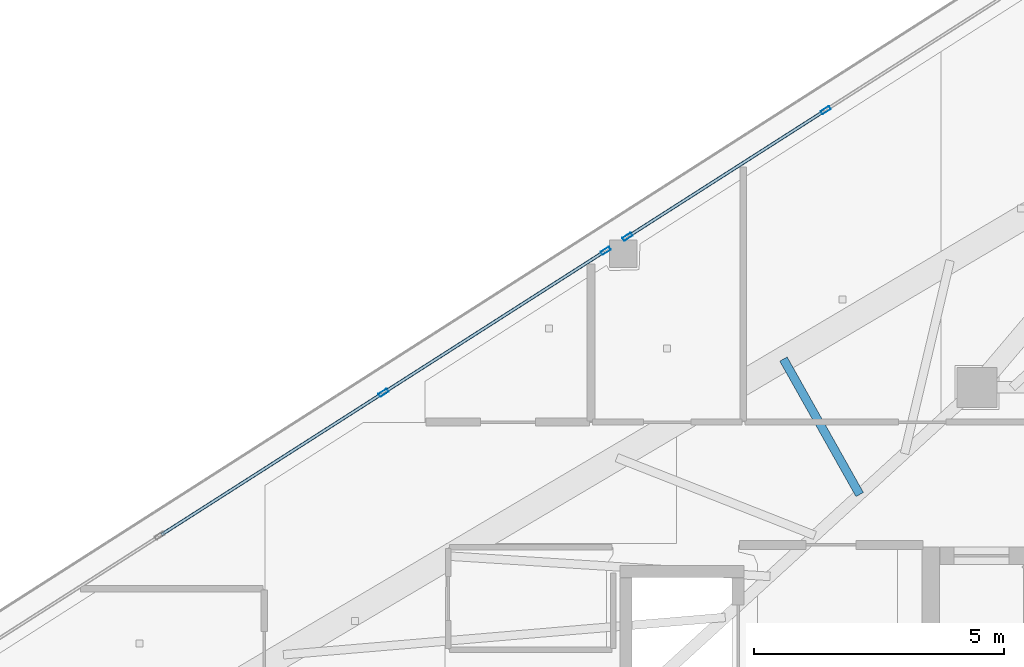
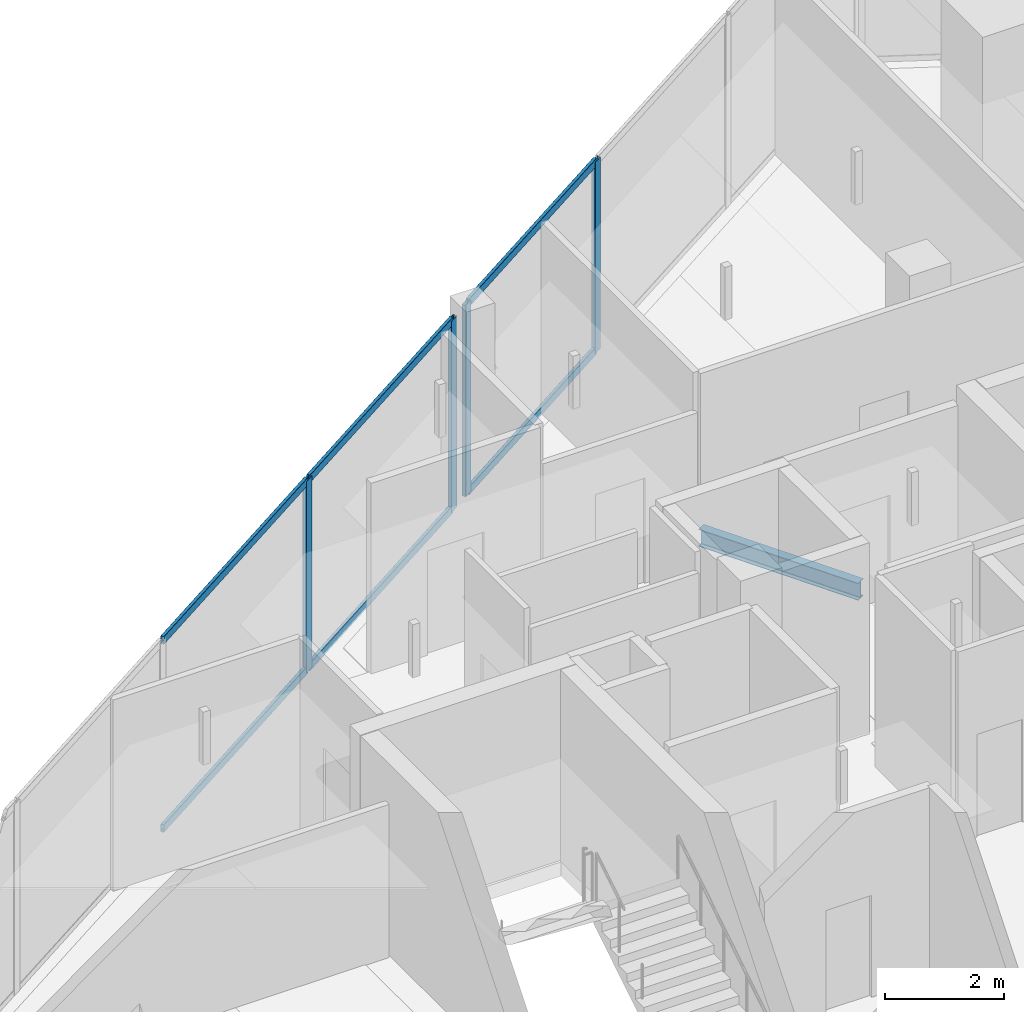
# One storey, part 11 of 25: 10 members, 1 beam, 2 elements without a shape of their own.
"""IFC4 building model written with IfcOpenShell, lengths in metres."""

from ifc_helpers import new_model, si_unit, direction, frame, origin, origin_2d, place, context, subcontext, project, spatial, hollow_rectangle, i_section, extrude, material, layer, layer_set, material_profile, profile_set, type_object, element, aggregate, save


model = new_model("IFC4")

# Units and contexts
model_context = context("Model", 3, precision=1e-05, world=origin(), true_north=direction((0.0, 1.0)))
body_context = subcontext(model_context, "Body", "Model", "MODEL_VIEW")
ifc_project = project(units=[si_unit("LENGTHUNIT", "METRE"), si_unit("AREAUNIT", "SQUARE_METRE"), si_unit("VOLUMEUNIT", "CUBIC_METRE"), si_unit("PLANEANGLEUNIT", "RADIAN"), si_unit("MASSUNIT", "GRAM", prefix="KILO")], contexts=[model_context])

# Site, building, storey
site_placement = place(None, origin())
site = spatial("IfcSite", under=ifc_project, at=site_placement, CompositionType="ELEMENT")
building_placement = place(site_placement, origin())
building = spatial("IfcBuilding", under=site, at=building_placement, Name="Qorvath Tower", CompositionType="ELEMENT")
storey_placement = place(building_placement, frame((0.0, 0.0, 306.0)))
storey = spatial("IfcBuildingStorey", under=building, at=storey_placement, Name="L71", CompositionType="ELEMENT", Elevation=306.0)

# Beam
ifc_material_1 = material(Name="Steel ASTM A992 Grade 50", Category="steel")
ifc_material_profile_1 = material_profile(ifc_material_1, i_section(OverallWidth=0.1708984375, OverallDepth=0.35107421875, WebThickness=0.0068359375, FlangeThickness=0.009765625, FilletRadius=0.010009765625, at=origin_2d()), Name="W14x30")
ifc_profile_set_1 = profile_set([ifc_material_profile_1], Name="Steel ASTM A992 Grade 50")
beam_type = type_object("IfcBeamType", Name="BM-FJ4", PredefinedType="JOIST", material=ifc_profile_set_1)
beam_placement = place(storey_placement, frame((-25.946044921875, 9.30810546875, -0.465576171875), z_axis=(-0.490626385489, 0.871370041866, 0.0), x_axis=(-0.871370041866, -0.490626385489, 0.0)))
element("IfcBeam", 1, at=beam_placement, inside=storey, type_object=beam_type, Name="Composite Floor Joist NW5 L71", PredefinedType="JOIST", context=body_context, shape_type="SweptSolid", body=[
    extrude(i_section(OverallWidth=0.1708984375, OverallDepth=0.35107421875, WebThickness=0.0068359375, FlangeThickness=0.009765625, FilletRadius=0.010009765625, at=origin_2d()), origin(), (0.0, 0.0, 1.0), 3.110595703125),
])

# Curtain wall, members
ifc_material_2 = material(Name="Anodised aluminium and triple low-E glass", Category="aluminium")
ifc_layer = layer(ifc_material_2, 0.179931640625)
ifc_layer_set = layer_set([ifc_layer], Name="CW-SYS-4")
curtain_wall_type = type_object("IfcCurtainWallType", Name="CW-SYS-4", PredefinedType="NOTDEFINED", material=ifc_layer_set)
curtain_wall_1_placement = place(storey_placement, origin())
curtain_wall_1 = element("IfcCurtainWall", 2, at=curtain_wall_1_placement, inside=storey, type_object=curtain_wall_type, Name="Curtain Wall CW-4 CW-T-L71-16.1", PredefinedType="NOTDEFINED")
ifc_material_3 = material(Name="Anodised aluminium 6063-T6", Category="aluminium")
ifc_material_profile_2 = material_profile(ifc_material_3, hollow_rectangle(XDim=0.074951171875, YDim=0.199951171875, WallThickness=0.00390625, InnerFilletRadius=0.00390625, OuterFilletRadius=0.008056640625, at=origin_2d()), Name="CWM 200x75")
ifc_profile_set_2 = profile_set([ifc_material_profile_2], Name="Anodised aluminium 6063-T6")
member_type_1 = type_object("IfcMemberType", Name="CWM-200", PredefinedType="MULLION", material=ifc_profile_set_2)
member_1_placement = place(storey_placement, frame((-26.626220703125, 16.999755859375, 0.0), z_axis=(0.0, 0.0, 1.0), x_axis=(0.538533107683, -0.842604350765, 0.0)))
member_1 = element("IfcMember", 3, at=member_1_placement, type_object=member_type_1, Name="CW-4 mullion 3", PredefinedType="MULLION", context=body_context, shape_type="SweptSolid", body=[
    extrude(hollow_rectangle(XDim=0.074951171875, YDim=0.199951171875, WallThickness=0.00390625, InnerFilletRadius=0.00390625, OuterFilletRadius=0.008056640625, at=origin_2d()), origin(), (0.0, 0.0, 1.0), 3.909912109375),
])
member_2_placement = place(storey_placement, frame((-30.593017578125, 14.464599609375, 0.0), z_axis=(0.0, 0.0, 1.0), x_axis=(0.538533107683, -0.842604350765, 0.0)))
member_2 = element("IfcMember", 4, at=member_2_placement, type_object=member_type_1, Name="CW-4 mullion 4", PredefinedType="MULLION", context=body_context, shape_type="SweptSolid", body=[
    extrude(hollow_rectangle(XDim=0.074951171875, YDim=0.199951171875, WallThickness=0.00390625, InnerFilletRadius=0.00390625, OuterFilletRadius=0.008056640625, at=origin_2d()), origin(), (0.0, 0.0, 1.0), 3.909912109375),
])

curtain_wall_2_placement = place(storey_placement, origin())
curtain_wall_2 = element("IfcCurtainWall", 5, at=curtain_wall_2_placement, inside=storey, type_object=curtain_wall_type, Name="Curtain Wall CW-4 CW-T-L71-16.2", PredefinedType="NOTDEFINED")
member_3_placement = place(storey_placement, frame((-31.02880859375, 14.185791015625, 0.0), z_axis=(0.0, 0.0, 1.0), x_axis=(0.538537259419, -0.842601697255, 0.0)))
member_3 = element("IfcMember", 6, at=member_3_placement, type_object=member_type_1, Name="CW-4 mullion 1", PredefinedType="MULLION", context=body_context, shape_type="SweptSolid", body=[
    extrude(hollow_rectangle(XDim=0.074951171875, YDim=0.199951171875, WallThickness=0.00390625, InnerFilletRadius=0.00390625, OuterFilletRadius=0.008056640625, at=origin_2d()), origin(), (0.0, 0.0, 1.0), 3.909912109375),
])
member_4_placement = place(storey_placement, frame((-35.472900390625, 11.345458984375, 0.0), z_axis=(0.0, 0.0, 1.0), x_axis=(0.538537259419, -0.842601697255, 0.0)))
member_4 = element("IfcMember", 7, at=member_4_placement, type_object=member_type_1, Name="CW-4 mullion 2", PredefinedType="MULLION", context=body_context, shape_type="SweptSolid", body=[
    extrude(hollow_rectangle(XDim=0.074951171875, YDim=0.199951171875, WallThickness=0.00390625, InnerFilletRadius=0.00390625, OuterFilletRadius=0.008056640625, at=origin_2d()), origin(), (0.0, 0.0, 1.0), 3.909912109375),
])

# Member
ifc_material_4 = material(Name="Anodised aluminium 6063-T6", Category="aluminium")
ifc_material_profile_3 = material_profile(ifc_material_4, hollow_rectangle(XDim=0.06494140625, YDim=0.159912109375, WallThickness=0.00341796875, InnerFilletRadius=0.00341796875, OuterFilletRadius=0.007080078125, at=origin_2d()), Name="CWT 160x65")
ifc_profile_set_3 = profile_set([ifc_material_profile_3], Name="Anodised aluminium 6063-T6")
member_type_2 = type_object("IfcMemberType", Name="CWT-160", PredefinedType="USERDEFINED", material=ifc_profile_set_3)
member_5_placement = place(storey_placement, frame((-26.657958984375, 16.9794921875, 0.032470703125), z_axis=(-0.842589974273, -0.538555600894, 0.0), x_axis=(0.538555600894, -0.842589974273, 0.0)))
member_5 = element("IfcMember", 8, at=member_5_placement, type_object=member_type_2, Name="CW-4 transom 3.1", ObjectType="TRANSOM", PredefinedType="USERDEFINED", context=body_context, shape_type="SweptSolid", body=[
    extrude(hollow_rectangle(XDim=0.06494140625, YDim=0.159912109375, WallThickness=0.00341796875, InnerFilletRadius=0.00341796875, OuterFilletRadius=0.007080078125, at=origin_2d()), origin(), (0.0, 0.0, 1.0), 4.632568359375),
])

member_6_placement = place(storey_placement, frame((-26.657958984375, 16.9794921875, 3.87744140625), z_axis=(-0.842589974273, -0.538555600894, 0.0), x_axis=(0.538555600894, -0.842589974273, 0.0)))
member_6 = element("IfcMember", 9, at=member_6_placement, type_object=member_type_2, Name="CW-4 transom 3.2", ObjectType="TRANSOM", PredefinedType="USERDEFINED", context=body_context, shape_type="SweptSolid", body=[
    extrude(hollow_rectangle(XDim=0.06494140625, YDim=0.159912109375, WallThickness=0.00341796875, InnerFilletRadius=0.00341796875, OuterFilletRadius=0.007080078125, at=origin_2d()), origin(), (0.0, 0.0, 1.0), 4.632568359375),
])

aggregate(curtain_wall_1, [member_1, member_2, member_5, member_6])

member_7_placement = place(storey_placement, frame((-31.060546875, 14.165771484375, 0.032470703125), z_axis=(-0.842594457649, -0.538548586423, 0.0), x_axis=(0.538548586423, -0.842594457649, 0.0)))
member_7 = element("IfcMember", 10, at=member_7_placement, type_object=member_type_2, Name="CW-4 transom 1.1", ObjectType="TRANSOM", PredefinedType="USERDEFINED", context=body_context, shape_type="SweptSolid", body=[
    extrude(hollow_rectangle(XDim=0.06494140625, YDim=0.159912109375, WallThickness=0.00341796875, InnerFilletRadius=0.00341796875, OuterFilletRadius=0.007080078125, at=origin_2d()), origin(), (0.0, 0.0, 1.0), 5.19921875),
])

member_8_placement = place(storey_placement, frame((-31.060546875, 14.165771484375, 3.87744140625), z_axis=(-0.842594457649, -0.538548586423, 0.0), x_axis=(0.538548586423, -0.842594457649, 0.0)))
member_8 = element("IfcMember", 11, at=member_8_placement, type_object=member_type_2, Name="CW-4 transom 1.2", ObjectType="TRANSOM", PredefinedType="USERDEFINED", context=body_context, shape_type="SweptSolid", body=[
    extrude(hollow_rectangle(XDim=0.06494140625, YDim=0.159912109375, WallThickness=0.00341796875, InnerFilletRadius=0.00341796875, OuterFilletRadius=0.007080078125, at=origin_2d()), origin(), (0.0, 0.0, 1.0), 5.19921875),
])

member_9_placement = place(storey_placement, frame((-35.504638671875, 11.325439453125, 0.032470703125), z_axis=(-0.842582843317, -0.538566757373, 0.0), x_axis=(0.538566757373, -0.842582843317, 0.0)))
member_9 = element("IfcMember", 12, at=member_9_placement, type_object=member_type_2, Name="CW-4 transom 2.1", ObjectType="TRANSOM", PredefinedType="USERDEFINED", context=body_context, shape_type="SweptSolid", body=[
    extrude(hollow_rectangle(XDim=0.06494140625, YDim=0.159912109375, WallThickness=0.00341796875, InnerFilletRadius=0.00341796875, OuterFilletRadius=0.007080078125, at=origin_2d()), origin(), (0.0, 0.0, 1.0), 5.23681640625),
])

member_10_placement = place(storey_placement, frame((-35.504638671875, 11.325439453125, 3.87744140625), z_axis=(-0.842582843317, -0.538566757373, 0.0), x_axis=(0.538566757373, -0.842582843317, 0.0)))
member_10 = element("IfcMember", 13, at=member_10_placement, type_object=member_type_2, Name="CW-4 transom 2.2", ObjectType="TRANSOM", PredefinedType="USERDEFINED", context=body_context, shape_type="SweptSolid", body=[
    extrude(hollow_rectangle(XDim=0.06494140625, YDim=0.159912109375, WallThickness=0.00341796875, InnerFilletRadius=0.00341796875, OuterFilletRadius=0.007080078125, at=origin_2d()), origin(), (0.0, 0.0, 1.0), 5.23681640625),
])

aggregate(curtain_wall_2, [member_3, member_4, member_7, member_8, member_9, member_10])

save(model, "model.ifc")
